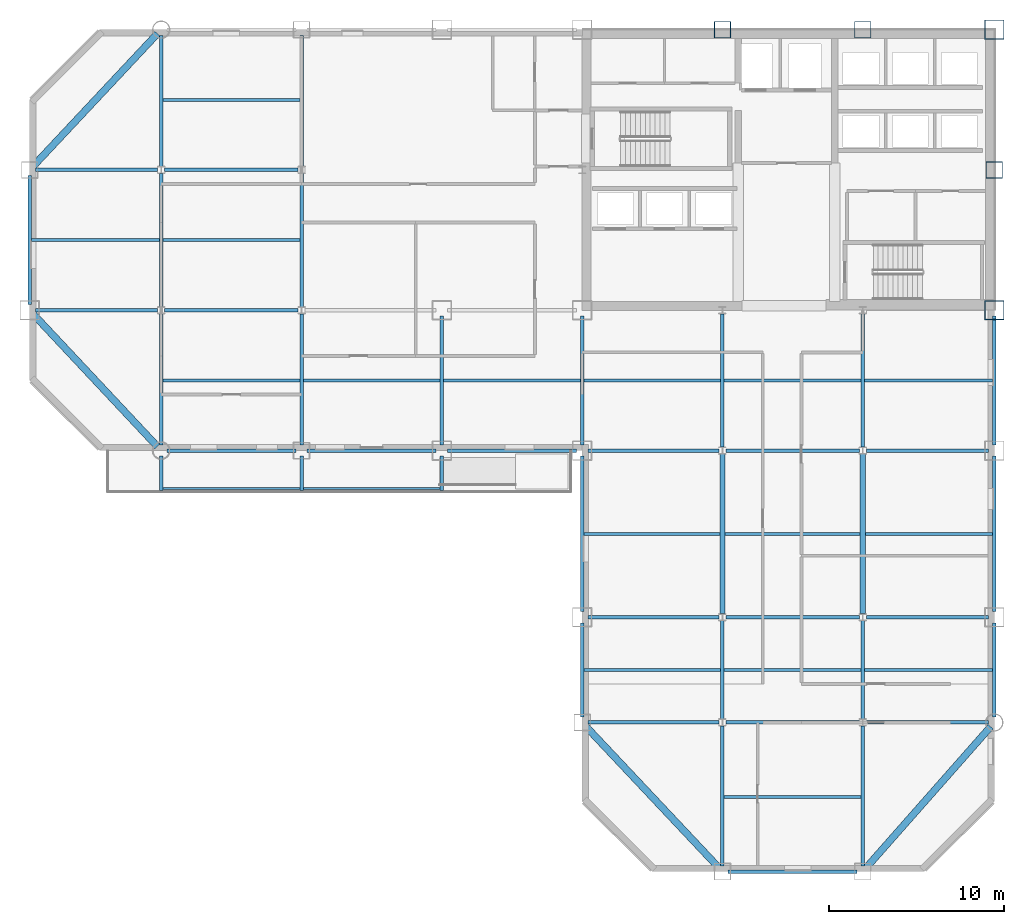
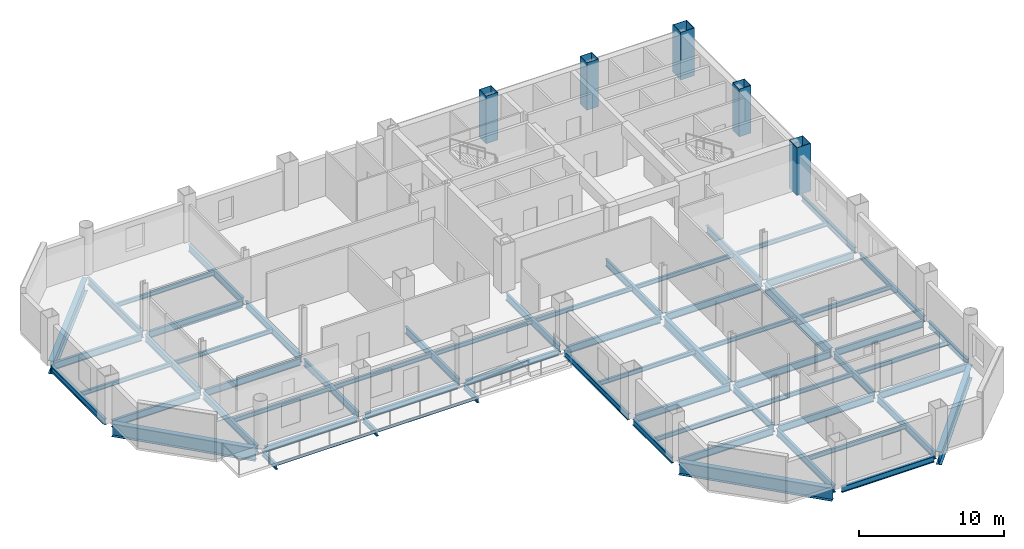
# One storey, part 4 of 10: 64 beams, 5 columns.
"""IFC4 building model written with IfcOpenShell, lengths in metres."""

from ifc_helpers import new_model, si_unit, direction, frame, origin, origin_2d, place, context, subcontext, project, spatial, hollow_rectangle, i_section, extrude, material, material_profile, profile_set, type_object, element, save


model = new_model("IFC4")

# Units and contexts
model_context = context("Model", 3, precision=1e-05, world=origin(), true_north=direction((0.0, 1.0)))
body_context = subcontext(model_context, "Body", "Model", "MODEL_VIEW")
ifc_project = project(units=[si_unit("LENGTHUNIT", "METRE"), si_unit("AREAUNIT", "SQUARE_METRE"), si_unit("VOLUMEUNIT", "CUBIC_METRE"), si_unit("PLANEANGLEUNIT", "RADIAN"), si_unit("MASSUNIT", "GRAM", prefix="KILO")], contexts=[model_context])

# Site, building, storey
site_placement = place(None, origin())
site = spatial("IfcSite", under=ifc_project, at=site_placement, CompositionType="ELEMENT")
building_placement = place(site_placement, origin())
building = spatial("IfcBuilding", under=site, at=building_placement, Name="Qianrong Seaharbour Tower", CompositionType="ELEMENT")
storey_placement = place(building_placement, frame((0.0, 0.0, 151.0)))
storey = spatial("IfcBuildingStorey", under=building, at=storey_placement, Name="L36", CompositionType="ELEMENT", Elevation=151.0)

# Columns
ifc_material_1 = material(Name="Structural steel SN490B", Category="steel")
ifc_material_profile_1 = material_profile(ifc_material_1, hollow_rectangle(XDim=1.10009765625, YDim=1.10009765625, WallThickness=0.0400390625, at=origin_2d()), Name="BOX1100x1100x40")
ifc_profile_set_1 = profile_set([ifc_material_profile_1], Name="Structural steel SN490B")
column_type_1 = type_object("IfcColumnType", Name="COL-CFT-1100", PredefinedType="COLUMN", material=ifc_profile_set_1)
for number, where, z_axis, x_axis, name in (
    (1, (64.0, 36.0, 0.0), (0.0, 0.0, 1.0), (1.0, 0.0, 0.0), "L36 Column MC-3 at G9/GF"),
    (2, (64.0, 52.0, 0.0), (0.0, 0.0, 1.0), (1.0, 0.0, 0.0), "L36 Column MC-3 at G9/GH"),
):
    element("IfcColumn", number, at=place(storey_placement, frame(where, z_axis=z_axis, x_axis=x_axis)), inside=storey, type_object=column_type_1, Name=name, PredefinedType="COLUMN", context=body_context, shape_type="SweptSolid", body=[
        extrude(hollow_rectangle(XDim=1.10009765625, YDim=1.10009765625, WallThickness=0.0400390625, at=origin_2d()), origin(), (0.0, 0.0, 1.0), 4.0),
    ])
ifc_material_profile_2 = material_profile(ifc_material_1, hollow_rectangle(XDim=0.949951171875, YDim=0.949951171875, WallThickness=0.035888671875, at=origin_2d()), Name="BOX950x950x36")
ifc_profile_set_2 = profile_set([ifc_material_profile_2], Name="Structural steel SN490B")
column_type_2 = type_object("IfcColumnType", Name="COL-PER-950", PredefinedType="COLUMN", material=ifc_profile_set_2)
for number, where, z_axis, x_axis, name in (
    (3, (48.5, 52.0, 0.0), (0.0, 0.0, 1.0), (1.0, 0.0, 0.0), "L36 Column PC-2 at G7/GH"),
    (4, (56.5, 52.0, 0.0), (0.0, 0.0, 1.0), (1.0, 0.0, 0.0), "L36 Column PC-2 at G8/GH"),
    (5, (64.0, 44.0, 0.0), (0.0, 0.0, 1.0), (1.0, 0.0, 0.0), "L36 Column PC-2 at G9/GG"),
):
    element("IfcColumn", number, at=place(storey_placement, frame(where, z_axis=z_axis, x_axis=x_axis)), inside=storey, type_object=column_type_2, Name=name, PredefinedType="COLUMN", context=body_context, shape_type="SweptSolid", body=[
        extrude(hollow_rectangle(XDim=0.949951171875, YDim=0.949951171875, WallThickness=0.035888671875, at=origin_2d()), origin(), (0.0, 0.0, 1.0), 4.0),
    ])

# Beams
ifc_material_profile_3 = material_profile(ifc_material_1, i_section(OverallWidth=0.199951171875, OverallDepth=0.60009765625, WebThickness=0.010986328125, FlangeThickness=0.01708984375, FilletRadius=0.02197265625, at=origin_2d()), Name="H600x200x11x17")
ifc_profile_set_3 = profile_set([ifc_material_profile_3], Name="Structural steel SN490B")
beam_type_1 = type_object("IfcBeamType", Name="BM-G-600", PredefinedType="BEAM", material=ifc_profile_set_3)
beam_1_placement = place(storey_placement, frame((40.820068359375, 12.5, -0.534912109375), z_axis=(1.0, 0.0, 0.0), x_axis=(0.0, 1.0, 0.0)))
element("IfcBeam", 6, at=beam_1_placement, inside=storey, type_object=beam_type_1, Name="L36 Primary Girder GC G6-G7", PredefinedType="BEAM", context=body_context, shape_type="SweptSolid", body=[
    extrude(i_section(OverallWidth=0.199951171875, OverallDepth=0.60009765625, WebThickness=0.010986328125, FlangeThickness=0.01708984375, FilletRadius=0.02197265625, at=origin_2d()), origin(), (0.0, 0.0, 1.0), 7.47998046875),
])
beam_2_placement = place(storey_placement, frame((48.699951171875, 12.5, -0.534912109375), z_axis=(1.0, 0.0, 0.0), x_axis=(0.0, 1.0, 0.0)))
element("IfcBeam", 7, at=beam_2_placement, inside=storey, type_object=beam_type_1, Name="L36 Primary Girder GC G7-G8", PredefinedType="BEAM", context=body_context, shape_type="SweptSolid", body=[
    extrude(i_section(OverallWidth=0.199951171875, OverallDepth=0.60009765625, WebThickness=0.010986328125, FlangeThickness=0.01708984375, FilletRadius=0.02197265625, at=origin_2d()), origin(), (0.0, 0.0, 1.0), 7.60009765625),
])
beam_3_placement = place(storey_placement, frame((56.699951171875, 12.5, -0.534912109375), z_axis=(1.0, 0.0, 0.0), x_axis=(0.0, 1.0, 0.0)))
element("IfcBeam", 8, at=beam_3_placement, inside=storey, type_object=beam_type_1, Name="L36 Primary Girder GC G8-G9", PredefinedType="BEAM", context=body_context, shape_type="SweptSolid", body=[
    extrude(i_section(OverallWidth=0.199951171875, OverallDepth=0.60009765625, WebThickness=0.010986328125, FlangeThickness=0.01708984375, FilletRadius=0.02197265625, at=origin_2d()), origin(), (0.0, 0.0, 1.0), 6.97998046875),
])
beam_4_placement = place(storey_placement, frame((40.820068359375, 18.5, -0.534912109375), z_axis=(1.0, 0.0, 0.0), x_axis=(0.0, 1.0, 0.0)))
element("IfcBeam", 9, at=beam_4_placement, inside=storey, type_object=beam_type_1, Name="L36 Primary Girder GD G6-G7", PredefinedType="BEAM", context=body_context, shape_type="SweptSolid", body=[
    extrude(i_section(OverallWidth=0.199951171875, OverallDepth=0.60009765625, WebThickness=0.010986328125, FlangeThickness=0.01708984375, FilletRadius=0.02197265625, at=origin_2d()), origin(), (0.0, 0.0, 1.0), 7.47998046875),
])
beam_5_placement = place(storey_placement, frame((48.699951171875, 18.5, -0.534912109375), z_axis=(1.0, 0.0, 0.0), x_axis=(0.0, 1.0, 0.0)))
element("IfcBeam", 10, at=beam_5_placement, inside=storey, type_object=beam_type_1, Name="L36 Primary Girder GD G7-G8", PredefinedType="BEAM", context=body_context, shape_type="SweptSolid", body=[
    extrude(i_section(OverallWidth=0.199951171875, OverallDepth=0.60009765625, WebThickness=0.010986328125, FlangeThickness=0.01708984375, FilletRadius=0.02197265625, at=origin_2d()), origin(), (0.0, 0.0, 1.0), 7.60009765625),
])
beam_6_placement = place(storey_placement, frame((56.699951171875, 18.5, -0.534912109375), z_axis=(1.0, 0.0, 0.0), x_axis=(0.0, 1.0, 0.0)))
element("IfcBeam", 11, at=beam_6_placement, inside=storey, type_object=beam_type_1, Name="L36 Primary Girder GD G8-G9", PredefinedType="BEAM", context=body_context, shape_type="SweptSolid", body=[
    extrude(i_section(OverallWidth=0.199951171875, OverallDepth=0.60009765625, WebThickness=0.010986328125, FlangeThickness=0.01708984375, FilletRadius=0.02197265625, at=origin_2d()), origin(), (0.0, 0.0, 1.0), 6.97998046875),
])
beam_7_placement = place(storey_placement, frame((40.820068359375, 28.0, -0.534912109375), z_axis=(1.0, 0.0, 0.0), x_axis=(0.0, 1.0, 0.0)))
element("IfcBeam", 12, at=beam_7_placement, inside=storey, type_object=beam_type_1, Name="L36 Primary Girder GE G6-G7", PredefinedType="BEAM", context=body_context, shape_type="SweptSolid", body=[
    extrude(i_section(OverallWidth=0.199951171875, OverallDepth=0.60009765625, WebThickness=0.010986328125, FlangeThickness=0.01708984375, FilletRadius=0.02197265625, at=origin_2d()), origin(), (0.0, 0.0, 1.0), 7.47998046875),
])
beam_8_placement = place(storey_placement, frame((48.699951171875, 28.0, -0.534912109375), z_axis=(1.0, 0.0, 0.0), x_axis=(0.0, 1.0, 0.0)))
element("IfcBeam", 13, at=beam_8_placement, inside=storey, type_object=beam_type_1, Name="L36 Primary Girder GE G7-G8", PredefinedType="BEAM", context=body_context, shape_type="SweptSolid", body=[
    extrude(i_section(OverallWidth=0.199951171875, OverallDepth=0.60009765625, WebThickness=0.010986328125, FlangeThickness=0.01708984375, FilletRadius=0.02197265625, at=origin_2d()), origin(), (0.0, 0.0, 1.0), 7.60009765625),
])
for number, where, z_axis, x_axis, name in (
    (14, (56.699951171875, 28.0, -0.534912109375), (1.0, 0.0, 0.0), (0.0, 1.0, 0.0), "L36 Primary Girder GE G8-G9"),
    (15, (9.320068359375, 36.0, -0.534912109375), (1.0, 0.0, 0.0), (0.0, 1.0, 0.0), "L36 Primary Girder GF G2-G3"),
):
    element("IfcBeam", number, at=place(storey_placement, frame(where, z_axis=z_axis, x_axis=x_axis)), inside=storey, type_object=beam_type_1, Name=name, PredefinedType="BEAM", context=body_context, shape_type="SweptSolid", body=[
        extrude(i_section(OverallWidth=0.199951171875, OverallDepth=0.60009765625, WebThickness=0.010986328125, FlangeThickness=0.01708984375, FilletRadius=0.02197265625, at=origin_2d()), origin(), (0.0, 0.0, 1.0), 6.97998046875),
    ])
beam_9_placement = place(storey_placement, frame((16.699951171875, 36.0, -0.534912109375), z_axis=(1.0, 0.0, 0.0), x_axis=(0.0, 1.0, 0.0)))
element("IfcBeam", 16, at=beam_9_placement, inside=storey, type_object=beam_type_1, Name="L36 Primary Girder GF G3-G4", PredefinedType="BEAM", context=body_context, shape_type="SweptSolid", body=[
    extrude(i_section(OverallWidth=0.199951171875, OverallDepth=0.60009765625, WebThickness=0.010986328125, FlangeThickness=0.01708984375, FilletRadius=0.02197265625, at=origin_2d()), origin(), (0.0, 0.0, 1.0), 7.60009765625),
])
beam_10_placement = place(storey_placement, frame((9.320068359375, 44.0, -0.534912109375), z_axis=(1.0, 0.0, 0.0), x_axis=(0.0, 1.0, 0.0)))
element("IfcBeam", 17, at=beam_10_placement, inside=storey, type_object=beam_type_1, Name="L36 Primary Girder GG G2-G3", PredefinedType="BEAM", context=body_context, shape_type="SweptSolid", body=[
    extrude(i_section(OverallWidth=0.199951171875, OverallDepth=0.60009765625, WebThickness=0.010986328125, FlangeThickness=0.01708984375, FilletRadius=0.02197265625, at=origin_2d()), origin(), (0.0, 0.0, 1.0), 6.97998046875),
])
beam_11_placement = place(storey_placement, frame((16.699951171875, 44.0, -0.534912109375), z_axis=(1.0, 0.0, 0.0), x_axis=(0.0, 1.0, 0.0)))
element("IfcBeam", 18, at=beam_11_placement, inside=storey, type_object=beam_type_1, Name="L36 Primary Girder GG G3-G4", PredefinedType="BEAM", context=body_context, shape_type="SweptSolid", body=[
    extrude(i_section(OverallWidth=0.199951171875, OverallDepth=0.60009765625, WebThickness=0.010986328125, FlangeThickness=0.01708984375, FilletRadius=0.02197265625, at=origin_2d()), origin(), (0.0, 0.0, 1.0), 7.60009765625),
])
beam_12_placement = place(storey_placement, frame((16.5, 28.320068359375, -0.534912109375), z_axis=(0.0, 1.0, 0.0), x_axis=(-1.0, 0.0, 0.0)))
element("IfcBeam", 19, at=beam_12_placement, inside=storey, type_object=beam_type_1, Name="L36 Primary Girder G3 GE-GF", PredefinedType="BEAM", context=body_context, shape_type="SweptSolid", body=[
    extrude(i_section(OverallWidth=0.199951171875, OverallDepth=0.60009765625, WebThickness=0.010986328125, FlangeThickness=0.01708984375, FilletRadius=0.02197265625, at=origin_2d()), origin(), (0.0, 0.0, 1.0), 7.47998046875),
])
beam_13_placement = place(storey_placement, frame((16.5, 36.199951171875, -0.534912109375), z_axis=(0.0, 1.0, 0.0), x_axis=(-1.0, 0.0, 0.0)))
element("IfcBeam", 20, at=beam_13_placement, inside=storey, type_object=beam_type_1, Name="L36 Primary Girder G3 GF-GG", PredefinedType="BEAM", context=body_context, shape_type="SweptSolid", body=[
    extrude(i_section(OverallWidth=0.199951171875, OverallDepth=0.60009765625, WebThickness=0.010986328125, FlangeThickness=0.01708984375, FilletRadius=0.02197265625, at=origin_2d()), origin(), (0.0, 0.0, 1.0), 7.60009765625),
])
for number, where, z_axis, x_axis, name in (
    (21, (16.5, 44.199951171875, -0.534912109375), (0.0, 1.0, 0.0), (-1.0, 0.0, 0.0), "L36 Primary Girder G3 GG-GH"),
    (22, (24.5, 28.320068359375, -0.534912109375), (0.0, 1.0, 0.0), (-1.0, 0.0, 0.0), "L36 Primary Girder G4 GE-GF"),
):
    element("IfcBeam", number, at=place(storey_placement, frame(where, z_axis=z_axis, x_axis=x_axis)), inside=storey, type_object=beam_type_1, Name=name, PredefinedType="BEAM", context=body_context, shape_type="SweptSolid", body=[
        extrude(i_section(OverallWidth=0.199951171875, OverallDepth=0.60009765625, WebThickness=0.010986328125, FlangeThickness=0.01708984375, FilletRadius=0.02197265625, at=origin_2d()), origin(), (0.0, 0.0, 1.0), 7.47998046875),
    ])
beam_14_placement = place(storey_placement, frame((24.5, 36.199951171875, -0.534912109375), z_axis=(0.0, 1.0, 0.0), x_axis=(-1.0, 0.0, 0.0)))
element("IfcBeam", 23, at=beam_14_placement, inside=storey, type_object=beam_type_1, Name="L36 Primary Girder G4 GF-GG", PredefinedType="BEAM", context=body_context, shape_type="SweptSolid", body=[
    extrude(i_section(OverallWidth=0.199951171875, OverallDepth=0.60009765625, WebThickness=0.010986328125, FlangeThickness=0.01708984375, FilletRadius=0.02197265625, at=origin_2d()), origin(), (0.0, 0.0, 1.0), 7.60009765625),
])
beam_15_placement = place(storey_placement, frame((24.5, 44.199951171875, -0.534912109375), z_axis=(0.0, 1.0, 0.0), x_axis=(-1.0, 0.0, 0.0)))
element("IfcBeam", 24, at=beam_15_placement, inside=storey, type_object=beam_type_1, Name="L36 Primary Girder G4 GG-GH", PredefinedType="BEAM", context=body_context, shape_type="SweptSolid", body=[
    extrude(i_section(OverallWidth=0.199951171875, OverallDepth=0.60009765625, WebThickness=0.010986328125, FlangeThickness=0.01708984375, FilletRadius=0.02197265625, at=origin_2d()), origin(), (0.0, 0.0, 1.0), 7.47998046875),
])
for number, where, z_axis, x_axis, name in (
    (25, (32.5, 28.320068359375, -0.534912109375), (0.0, 1.0, 0.0), (-1.0, 0.0, 0.0), "L36 Primary Girder G5 GE-GF"),
    (26, (40.5, 28.320068359375, -0.534912109375), (0.0, 1.0, 0.0), (-1.0, 0.0, 0.0), "L36 Primary Girder G6 GE-GF"),
):
    element("IfcBeam", number, at=place(storey_placement, frame(where, z_axis=z_axis, x_axis=x_axis)), inside=storey, type_object=beam_type_1, Name=name, PredefinedType="BEAM", context=body_context, shape_type="SweptSolid", body=[
        extrude(i_section(OverallWidth=0.199951171875, OverallDepth=0.60009765625, WebThickness=0.010986328125, FlangeThickness=0.01708984375, FilletRadius=0.02197265625, at=origin_2d()), origin(), (0.0, 0.0, 1.0), 7.35986328125),
    ])
beam_16_placement = place(storey_placement, frame((48.5, 4.320068359375, -0.534912109375), z_axis=(0.0, 1.0, 0.0), x_axis=(-1.0, 0.0, 0.0)))
element("IfcBeam", 27, at=beam_16_placement, inside=storey, type_object=beam_type_1, Name="L36 Primary Girder G7 GB-GC", PredefinedType="BEAM", context=body_context, shape_type="SweptSolid", body=[
    extrude(i_section(OverallWidth=0.199951171875, OverallDepth=0.60009765625, WebThickness=0.010986328125, FlangeThickness=0.01708984375, FilletRadius=0.02197265625, at=origin_2d()), origin(), (0.0, 0.0, 1.0), 7.97998046875),
])
beam_17_placement = place(storey_placement, frame((48.5, 12.699951171875, -0.534912109375), z_axis=(0.0, 1.0, 0.0), x_axis=(-1.0, 0.0, 0.0)))
element("IfcBeam", 28, at=beam_17_placement, inside=storey, type_object=beam_type_1, Name="L36 Primary Girder G7 GC-GD", PredefinedType="BEAM", context=body_context, shape_type="SweptSolid", body=[
    extrude(i_section(OverallWidth=0.199951171875, OverallDepth=0.60009765625, WebThickness=0.010986328125, FlangeThickness=0.01708984375, FilletRadius=0.02197265625, at=origin_2d()), origin(), (0.0, 0.0, 1.0), 5.60009765625),
])
beam_18_placement = place(storey_placement, frame((48.5, 28.199951171875, -0.534912109375), z_axis=(0.0, 1.0, 0.0), x_axis=(-1.0, 0.0, 0.0)))
element("IfcBeam", 29, at=beam_18_placement, inside=storey, type_object=beam_type_1, Name="L36 Primary Girder G7 GE-GF", PredefinedType="BEAM", context=body_context, shape_type="SweptSolid", body=[
    extrude(i_section(OverallWidth=0.199951171875, OverallDepth=0.60009765625, WebThickness=0.010986328125, FlangeThickness=0.01708984375, FilletRadius=0.02197265625, at=origin_2d()), origin(), (0.0, 0.0, 1.0), 7.60009765625),
])
beam_19_placement = place(storey_placement, frame((56.5, 4.320068359375, -0.534912109375), z_axis=(0.0, 1.0, 0.0), x_axis=(-1.0, 0.0, 0.0)))
element("IfcBeam", 30, at=beam_19_placement, inside=storey, type_object=beam_type_1, Name="L36 Primary Girder G8 GB-GC", PredefinedType="BEAM", context=body_context, shape_type="SweptSolid", body=[
    extrude(i_section(OverallWidth=0.199951171875, OverallDepth=0.60009765625, WebThickness=0.010986328125, FlangeThickness=0.01708984375, FilletRadius=0.02197265625, at=origin_2d()), origin(), (0.0, 0.0, 1.0), 7.97998046875),
])
beam_20_placement = place(storey_placement, frame((56.5, 12.699951171875, -0.534912109375), z_axis=(0.0, 1.0, 0.0), x_axis=(-1.0, 0.0, 0.0)))
element("IfcBeam", 31, at=beam_20_placement, inside=storey, type_object=beam_type_1, Name="L36 Primary Girder G8 GC-GD", PredefinedType="BEAM", context=body_context, shape_type="SweptSolid", body=[
    extrude(i_section(OverallWidth=0.199951171875, OverallDepth=0.60009765625, WebThickness=0.010986328125, FlangeThickness=0.01708984375, FilletRadius=0.02197265625, at=origin_2d()), origin(), (0.0, 0.0, 1.0), 5.60009765625),
])
beam_21_placement = place(storey_placement, frame((56.5, 28.199951171875, -0.534912109375), z_axis=(0.0, 1.0, 0.0), x_axis=(-1.0, 0.0, 0.0)))
element("IfcBeam", 32, at=beam_21_placement, inside=storey, type_object=beam_type_1, Name="L36 Primary Girder G8 GE-GF", PredefinedType="BEAM", context=body_context, shape_type="SweptSolid", body=[
    extrude(i_section(OverallWidth=0.199951171875, OverallDepth=0.60009765625, WebThickness=0.010986328125, FlangeThickness=0.01708984375, FilletRadius=0.02197265625, at=origin_2d()), origin(), (0.0, 0.0, 1.0), 7.60009765625),
])
ifc_material_profile_4 = material_profile(ifc_material_1, i_section(OverallWidth=0.300048828125, OverallDepth=0.800048828125, WebThickness=0.013916015625, FlangeThickness=0.02587890625, FilletRadius=0.028076171875, at=origin_2d()), Name="H800x300x14x26")
ifc_profile_set_4 = profile_set([ifc_material_profile_4], Name="Structural steel SN490B")
beam_type_2 = type_object("IfcBeamType", Name="BM-G-800", PredefinedType="BEAM", material=ifc_profile_set_4)
for number, where, z_axis, x_axis, name in (
    (33, (48.5, 18.699951171875, -0.635009765625), (0.0, 1.0, 0.0), (-1.0, 0.0, 0.0), "L36 Primary Girder G7 GD-GE"),
    (34, (56.5, 18.699951171875, -0.635009765625), (0.0, 1.0, 0.0), (-1.0, 0.0, 0.0), "L36 Primary Girder G8 GD-GE"),
):
    element("IfcBeam", number, at=place(storey_placement, frame(where, z_axis=z_axis, x_axis=x_axis)), inside=storey, type_object=beam_type_2, Name=name, PredefinedType="BEAM", context=body_context, shape_type="SweptSolid", body=[
        extrude(i_section(OverallWidth=0.300048828125, OverallDepth=0.800048828125, WebThickness=0.013916015625, FlangeThickness=0.02587890625, FilletRadius=0.028076171875, at=origin_2d()), origin(), (0.0, 0.0, 1.0), 9.10009765625),
    ])
ifc_material_2 = material(Name="Structural steel SN400B", Category="steel")
ifc_material_profile_5 = material_profile(ifc_material_2, i_section(OverallWidth=0.175048828125, OverallDepth=0.35009765625, WebThickness=0.007080078125, FlangeThickness=0.010986328125, FilletRadius=0.013916015625, at=origin_2d()), Name="H350x175x7x11")
ifc_profile_set_5 = profile_set([ifc_material_profile_5], Name="Structural steel SN400B")
beam_type_3 = type_object("IfcBeamType", Name="BM-J-350", PredefinedType="JOIST", material=ifc_profile_set_5)
beam_22_placement = place(storey_placement, frame((9.10009765625, 40.0, -0.409912109375), z_axis=(1.0, 0.0, 0.0), x_axis=(0.0, 1.0, 0.0)))
element("IfcBeam", 35, at=beam_22_placement, inside=storey, type_object=beam_type_3, Name="L36 Composite Floor Joist G2-G3/GF-GG", PredefinedType="JOIST", context=body_context, shape_type="SweptSolid", body=[
    extrude(i_section(OverallWidth=0.175048828125, OverallDepth=0.35009765625, WebThickness=0.007080078125, FlangeThickness=0.010986328125, FilletRadius=0.013916015625, at=origin_2d()), origin(), (0.0, 0.0, 1.0), 7.2998046875),
])
for number, where, z_axis, x_axis, name in (
    (36, (16.60009765625, 32.0, -0.409912109375), (1.0, 0.0, 0.0), (0.0, 1.0, 0.0), "L36 Composite Floor Joist G3-G4/GE-GF"),
    (37, (16.60009765625, 40.0, -0.409912109375), (1.0, 0.0, 0.0), (0.0, 1.0, 0.0), "L36 Composite Floor Joist G3-G4/GF-GG"),
    (38, (16.60009765625, 48.0, -0.409912109375), (1.0, 0.0, 0.0), (0.0, 1.0, 0.0), "L36 Composite Floor Joist G3-G4/GG-GH"),
    (39, (24.60009765625, 32.0, -0.409912109375), (1.0, 0.0, 0.0), (0.0, 1.0, 0.0), "L36 Composite Floor Joist G4-G5/GE-GF"),
    (40, (32.60009765625, 32.0, -0.409912109375), (1.0, 0.0, 0.0), (0.0, 1.0, 0.0), "L36 Composite Floor Joist G5-G6/GE-GF"),
    (41, (40.60009765625, 15.5, -0.409912109375), (1.0, 0.0, 0.0), (0.0, 1.0, 0.0), "L36 Composite Floor Joist G6-G7/GC-GD"),
):
    element("IfcBeam", number, at=place(storey_placement, frame(where, z_axis=z_axis, x_axis=x_axis)), inside=storey, type_object=beam_type_3, Name=name, PredefinedType="JOIST", context=body_context, shape_type="SweptSolid", body=[
        extrude(i_section(OverallWidth=0.175048828125, OverallDepth=0.35009765625, WebThickness=0.007080078125, FlangeThickness=0.010986328125, FilletRadius=0.013916015625, at=origin_2d()), origin(), (0.0, 0.0, 1.0), 7.7998046875),
    ])
beam_23_placement = place(storey_placement, frame((40.60009765625, 23.25, -0.409912109375), z_axis=(1.0, 0.0, 0.0), x_axis=(0.0, 1.0, 0.0)))
element("IfcBeam", 42, at=beam_23_placement, inside=storey, type_object=beam_type_3, Name="L36 Composite Floor Joist G6-G7/GD-GE", PredefinedType="JOIST", context=body_context, shape_type="SweptSolid", body=[
    extrude(i_section(OverallWidth=0.175048828125, OverallDepth=0.35009765625, WebThickness=0.007080078125, FlangeThickness=0.010986328125, FilletRadius=0.013916015625, at=origin_2d()), origin(), (0.0, 0.0, 1.0), 7.75),
])
for number, where, z_axis, x_axis, name in (
    (43, (40.60009765625, 32.0, -0.409912109375), (1.0, 0.0, 0.0), (0.0, 1.0, 0.0), "L36 Composite Floor Joist G6-G7/GE-GF"),
    (44, (48.60009765625, 8.25, -0.409912109375), (1.0, 0.0, 0.0), (0.0, 1.0, 0.0), "L36 Composite Floor Joist G7-G8/GB-GC"),
    (45, (48.60009765625, 15.5, -0.409912109375), (1.0, 0.0, 0.0), (0.0, 1.0, 0.0), "L36 Composite Floor Joist G7-G8/GC-GD"),
):
    element("IfcBeam", number, at=place(storey_placement, frame(where, z_axis=z_axis, x_axis=x_axis)), inside=storey, type_object=beam_type_3, Name=name, PredefinedType="JOIST", context=body_context, shape_type="SweptSolid", body=[
        extrude(i_section(OverallWidth=0.175048828125, OverallDepth=0.35009765625, WebThickness=0.007080078125, FlangeThickness=0.010986328125, FilletRadius=0.013916015625, at=origin_2d()), origin(), (0.0, 0.0, 1.0), 7.7998046875),
    ])
beam_24_placement = place(storey_placement, frame((48.64990234375, 23.25, -0.409912109375), z_axis=(1.0, 0.0, 0.0), x_axis=(0.0, 1.0, 0.0)))
element("IfcBeam", 46, at=beam_24_placement, inside=storey, type_object=beam_type_3, Name="L36 Composite Floor Joist G7-G8/GD-GE", PredefinedType="JOIST", context=body_context, shape_type="SweptSolid", body=[
    extrude(i_section(OverallWidth=0.175048828125, OverallDepth=0.35009765625, WebThickness=0.007080078125, FlangeThickness=0.010986328125, FilletRadius=0.013916015625, at=origin_2d()), origin(), (0.0, 0.0, 1.0), 7.7001953125),
])
beam_25_placement = place(storey_placement, frame((48.60009765625, 32.0, -0.409912109375), z_axis=(1.0, 0.0, 0.0), x_axis=(0.0, 1.0, 0.0)))
element("IfcBeam", 47, at=beam_25_placement, inside=storey, type_object=beam_type_3, Name="L36 Composite Floor Joist G7-G8/GE-GF", PredefinedType="JOIST", context=body_context, shape_type="SweptSolid", body=[
    extrude(i_section(OverallWidth=0.175048828125, OverallDepth=0.35009765625, WebThickness=0.007080078125, FlangeThickness=0.010986328125, FilletRadius=0.013916015625, at=origin_2d()), origin(), (0.0, 0.0, 1.0), 7.7998046875),
])
beam_26_placement = place(storey_placement, frame((56.60009765625, 15.5, -0.409912109375), z_axis=(1.0, 0.0, 0.0), x_axis=(0.0, 1.0, 0.0)))
element("IfcBeam", 48, at=beam_26_placement, inside=storey, type_object=beam_type_3, Name="L36 Composite Floor Joist G8-G9/GC-GD", PredefinedType="JOIST", context=body_context, shape_type="SweptSolid", body=[
    extrude(i_section(OverallWidth=0.175048828125, OverallDepth=0.35009765625, WebThickness=0.007080078125, FlangeThickness=0.010986328125, FilletRadius=0.013916015625, at=origin_2d()), origin(), (0.0, 0.0, 1.0), 7.2998046875),
])
beam_27_placement = place(storey_placement, frame((56.64990234375, 23.25, -0.409912109375), z_axis=(1.0, 0.0, 0.0), x_axis=(0.0, 1.0, 0.0)))
element("IfcBeam", 49, at=beam_27_placement, inside=storey, type_object=beam_type_3, Name="L36 Composite Floor Joist G8-G9/GD-GE", PredefinedType="JOIST", context=body_context, shape_type="SweptSolid", body=[
    extrude(i_section(OverallWidth=0.175048828125, OverallDepth=0.35009765625, WebThickness=0.007080078125, FlangeThickness=0.010986328125, FilletRadius=0.013916015625, at=origin_2d()), origin(), (0.0, 0.0, 1.0), 7.25),
])
beam_28_placement = place(storey_placement, frame((56.60009765625, 32.0, -0.409912109375), z_axis=(1.0, 0.0, 0.0), x_axis=(0.0, 1.0, 0.0)))
element("IfcBeam", 50, at=beam_28_placement, inside=storey, type_object=beam_type_3, Name="L36 Composite Floor Joist G8-G9/GE-GF", PredefinedType="JOIST", context=body_context, shape_type="SweptSolid", body=[
    extrude(i_section(OverallWidth=0.175048828125, OverallDepth=0.35009765625, WebThickness=0.007080078125, FlangeThickness=0.010986328125, FilletRadius=0.013916015625, at=origin_2d()), origin(), (0.0, 0.0, 1.0), 7.2998046875),
])
ifc_material_profile_6 = material_profile(ifc_material_2, i_section(OverallWidth=0.10009765625, OverallDepth=0.199951171875, WebThickness=0.005615234375, FlangeThickness=0.008056640625, FilletRadius=0.010986328125, at=origin_2d()), Name="H200x100x5.5x8")
ifc_profile_set_6 = profile_set([ifc_material_profile_6], Name="Structural steel SN400B")
beam_type_4 = type_object("IfcBeamType", Name="BM-PURLIN-200", PredefinedType="JOIST", material=ifc_profile_set_6)
for number, where, z_axis, x_axis, name in (
    (51, (16.60009765625, 25.840087890625, -0.3349609375), (1.0, 0.0, 0.0), (0.0, 1.0, 0.0), "L36 Harbourfront Ribbon Edge Beam G4"),
    (52, (24.60009765625, 25.840087890625, -0.3349609375), (1.0, 0.0, 0.0), (0.0, 1.0, 0.0), "L36 Harbourfront Ribbon Edge Beam G5"),
):
    element("IfcBeam", number, at=place(storey_placement, frame(where, z_axis=z_axis, x_axis=x_axis)), inside=storey, type_object=beam_type_4, Name=name, PredefinedType="JOIST", context=body_context, shape_type="SweptSolid", body=[
        extrude(i_section(OverallWidth=0.10009765625, OverallDepth=0.199951171875, WebThickness=0.005615234375, FlangeThickness=0.008056640625, FilletRadius=0.010986328125, at=origin_2d()), origin(), (0.0, 0.0, 1.0), 7.7998046875),
    ])
ifc_material_profile_7 = material_profile(ifc_material_1, i_section(OverallWidth=0.199951171875, OverallDepth=0.449951171875, WebThickness=0.009033203125, FlangeThickness=0.013916015625, FilletRadius=0.01806640625, at=origin_2d()), Name="H450x200x9x14")
ifc_profile_set_7 = profile_set([ifc_material_profile_7], Name="Structural steel SN490B")
beam_type_5 = type_object("IfcBeamType", Name="BM-RIB-450", PredefinedType="BEAM", material=ifc_profile_set_7)
for number, where, z_axis, x_axis, name in (
    (53, (16.5, 27.699951171875, -0.4599609375), (0.0, -1.0, 0.0), (1.0, 0.0, 0.0), "L36 Harbourfront Ribbon Cantilever Bracket G3"),
    (54, (24.5, 27.699951171875, -0.4599609375), (0.0, -1.0, 0.0), (1.0, 0.0, 0.0), "L36 Harbourfront Ribbon Cantilever Bracket G4"),
    (55, (32.5, 27.699951171875, -0.4599609375), (0.0, -1.0, 0.0), (1.0, 0.0, 0.0), "L36 Harbourfront Ribbon Cantilever Bracket G5"),
):
    element("IfcBeam", number, at=place(storey_placement, frame(where, z_axis=z_axis, x_axis=x_axis)), inside=storey, type_object=beam_type_5, Name=name, PredefinedType="BEAM", context=body_context, shape_type="SweptSolid", body=[
        extrude(i_section(OverallWidth=0.199951171875, OverallDepth=0.449951171875, WebThickness=0.009033203125, FlangeThickness=0.013916015625, FilletRadius=0.01806640625, at=origin_2d()), origin(), (0.0, 0.0, 1.0), 1.97998046875),
    ])
ifc_material_profile_8 = material_profile(ifc_material_1, i_section(OverallWidth=0.199951171875, OverallDepth=0.5, WebThickness=0.010009765625, FlangeThickness=0.01611328125, FilletRadius=0.02001953125, at=origin_2d()), Name="H500x200x10x16")
ifc_profile_set_8 = profile_set([ifc_material_profile_8], Name="Structural steel SN490B")
beam_type_6 = type_object("IfcBeamType", Name="BM-SP-500", PredefinedType="SPANDREL", material=ifc_profile_set_8)
for number, where, z_axis, x_axis, name in (
    (56, (48.820068359375, 4.0, -0.485107421875), (1.0, 0.0, 0.0), (0.0, 1.0, 0.0), "L36 Spandrel Girder GB G7-G8"),
    (57, (16.820068359375, 28.0, -0.485107421875), (1.0, 0.0, 0.0), (0.0, 1.0, 0.0), "L36 Spandrel Girder GE G3-G4"),
    (58, (24.820068359375, 28.0, -0.485107421875), (1.0, 0.0, 0.0), (0.0, 1.0, 0.0), "L36 Spandrel Girder GE G4-G5"),
    (59, (32.820068359375, 28.0, -0.485107421875), (1.0, 0.0, 0.0), (0.0, 1.0, 0.0), "L36 Spandrel Girder GE G5-G6"),
    (60, (9.0, 36.320068359375, -0.485107421875), (0.0, 1.0, 0.0), (-1.0, 0.0, 0.0), "L36 Spandrel Girder G2 GF-GG"),
):
    element("IfcBeam", number, at=place(storey_placement, frame(where, z_axis=z_axis, x_axis=x_axis)), inside=storey, type_object=beam_type_6, Name=name, PredefinedType="SPANDREL", context=body_context, shape_type="SweptSolid", body=[
        extrude(i_section(OverallWidth=0.199951171875, OverallDepth=0.5, WebThickness=0.010009765625, FlangeThickness=0.01611328125, FilletRadius=0.02001953125, at=origin_2d()), origin(), (0.0, 0.0, 1.0), 7.35986328125),
    ])
beam_29_placement = place(storey_placement, frame((40.5, 12.820068359375, -0.485107421875), z_axis=(0.0, 1.0, 0.0), x_axis=(-1.0, 0.0, 0.0)))
element("IfcBeam", 61, at=beam_29_placement, inside=storey, type_object=beam_type_6, Name="L36 Spandrel Girder G6 GC-GD", PredefinedType="SPANDREL", context=body_context, shape_type="SweptSolid", body=[
    extrude(i_section(OverallWidth=0.199951171875, OverallDepth=0.5, WebThickness=0.010009765625, FlangeThickness=0.01611328125, FilletRadius=0.02001953125, at=origin_2d()), origin(), (0.0, 0.0, 1.0), 5.35986328125),
])
beam_30_placement = place(storey_placement, frame((40.5, 18.820068359375, -0.485107421875), z_axis=(0.0, 1.0, 0.0), x_axis=(-1.0, 0.0, 0.0)))
element("IfcBeam", 62, at=beam_30_placement, inside=storey, type_object=beam_type_6, Name="L36 Spandrel Girder G6 GD-GE", PredefinedType="SPANDREL", context=body_context, shape_type="SweptSolid", body=[
    extrude(i_section(OverallWidth=0.199951171875, OverallDepth=0.5, WebThickness=0.010009765625, FlangeThickness=0.01611328125, FilletRadius=0.02001953125, at=origin_2d()), origin(), (0.0, 0.0, 1.0), 8.85986328125),
])
beam_31_placement = place(storey_placement, frame((64.0, 12.820068359375, -0.485107421875), z_axis=(0.0, 1.0, 0.0), x_axis=(-1.0, 0.0, 0.0)))
element("IfcBeam", 63, at=beam_31_placement, inside=storey, type_object=beam_type_6, Name="L36 Spandrel Girder G9 GC-GD", PredefinedType="SPANDREL", context=body_context, shape_type="SweptSolid", body=[
    extrude(i_section(OverallWidth=0.199951171875, OverallDepth=0.5, WebThickness=0.010009765625, FlangeThickness=0.01611328125, FilletRadius=0.02001953125, at=origin_2d()), origin(), (0.0, 0.0, 1.0), 5.35986328125),
])
beam_32_placement = place(storey_placement, frame((64.0, 18.820068359375, -0.485107421875), z_axis=(0.0, 1.0, 0.0), x_axis=(-1.0, 0.0, 0.0)))
element("IfcBeam", 64, at=beam_32_placement, inside=storey, type_object=beam_type_6, Name="L36 Spandrel Girder G9 GD-GE", PredefinedType="SPANDREL", context=body_context, shape_type="SweptSolid", body=[
    extrude(i_section(OverallWidth=0.199951171875, OverallDepth=0.5, WebThickness=0.010009765625, FlangeThickness=0.01611328125, FilletRadius=0.02001953125, at=origin_2d()), origin(), (0.0, 0.0, 1.0), 8.85986328125),
])
beam_33_placement = place(storey_placement, frame((64.0, 28.320068359375, -0.485107421875), z_axis=(0.0, 1.0, 0.0), x_axis=(-1.0, 0.0, 0.0)))
element("IfcBeam", 65, at=beam_33_placement, inside=storey, type_object=beam_type_6, Name="L36 Spandrel Girder G9 GE-GF", PredefinedType="SPANDREL", context=body_context, shape_type="SweptSolid", body=[
    extrude(i_section(OverallWidth=0.199951171875, OverallDepth=0.5, WebThickness=0.010009765625, FlangeThickness=0.01611328125, FilletRadius=0.02001953125, at=origin_2d()), origin(), (0.0, 0.0, 1.0), 7.35986328125),
])
ifc_material_profile_9 = material_profile(ifc_material_1, i_section(OverallWidth=0.39990234375, OverallDepth=1.10009765625, WebThickness=0.02001953125, FlangeThickness=0.035888671875, at=origin_2d()), Name="BH1100x400x20x36")
ifc_profile_set_9 = profile_set([ifc_material_profile_9], Name="Structural steel SN490B")
beam_type_7 = type_object("IfcBeamType", Name="BM-TG-1100", PredefinedType="BEAM", material=ifc_profile_set_9)
for number, where, z_axis, x_axis, name in (
    (66, (16.28125, 28.2333984375, -0.784912109375), (-0.683947420573, 0.729531305628, 0.0), (-0.729531305628, -0.683947420573, 0.0), "L36 Chamfer Corner Spandrel Girder G2/GE"),
    (67, (16.28125, 51.7666015625, -0.784912109375), (-0.683947420573, -0.729531305628, 0.0), (0.729531305628, -0.683947420573, 0.0), "L36 Chamfer Corner Spandrel Girder G2/GH"),
):
    element("IfcBeam", number, at=place(storey_placement, frame(where, z_axis=z_axis, x_axis=x_axis)), inside=storey, type_object=beam_type_7, Name=name, PredefinedType="BEAM", context=body_context, shape_type="SweptSolid", body=[
        extrude(i_section(OverallWidth=0.39990234375, OverallDepth=1.10009765625, WebThickness=0.02001953125, FlangeThickness=0.035888671875, at=origin_2d()), origin(), (0.0, 0.0, 1.0), 10.326171875),
    ])
beam_34_placement = place(storey_placement, frame((48.28076171875, 4.23291015625, -0.784912109375), z_axis=(-0.685361938021, 0.728202591256, 0.0), x_axis=(-0.728202591256, -0.685361938021, 0.0)))
element("IfcBeam", 68, at=beam_34_placement, inside=storey, type_object=beam_type_7, Name="L36 Chamfer Corner Spandrel Girder G6/GB", PredefinedType="BEAM", context=body_context, shape_type="SweptSolid", body=[
    extrude(i_section(OverallWidth=0.39990234375, OverallDepth=1.10009765625, WebThickness=0.02001953125, FlangeThickness=0.035888671875, at=origin_2d()), origin(), (0.0, 0.0, 1.0), 11.032958984375),
])
beam_35_placement = place(storey_placement, frame((56.711669921875, 4.239990234375, -0.784912109375), z_axis=(0.661630696334, 0.749829861815, 0.0), x_axis=(-0.749829861815, 0.661630696334, 0.0)))
element("IfcBeam", 69, at=beam_35_placement, inside=storey, type_object=beam_type_7, Name="L36 Chamfer Corner Spandrel Girder G9/GB", PredefinedType="BEAM", context=body_context, shape_type="SweptSolid", body=[
    extrude(i_section(OverallWidth=0.39990234375, OverallDepth=1.10009765625, WebThickness=0.02001953125, FlangeThickness=0.035888671875, at=origin_2d()), origin(), (0.0, 0.0, 1.0), 10.69580078125),
])

save(model, "model.ifc")
